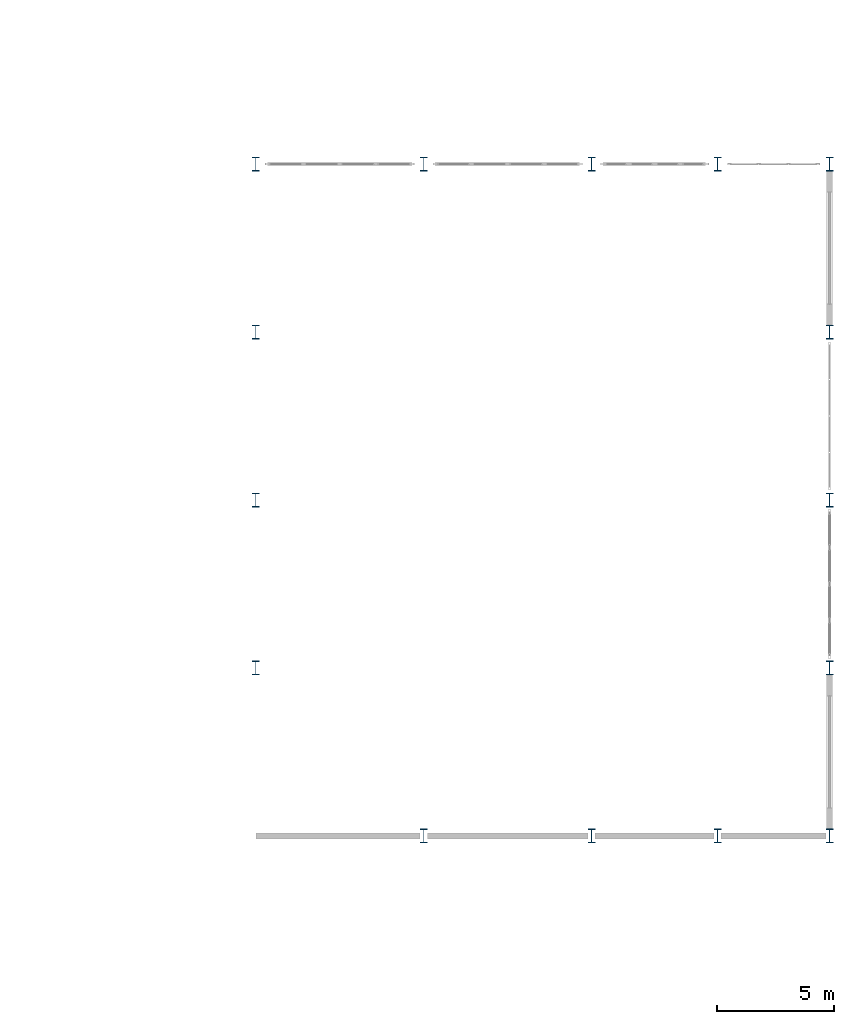
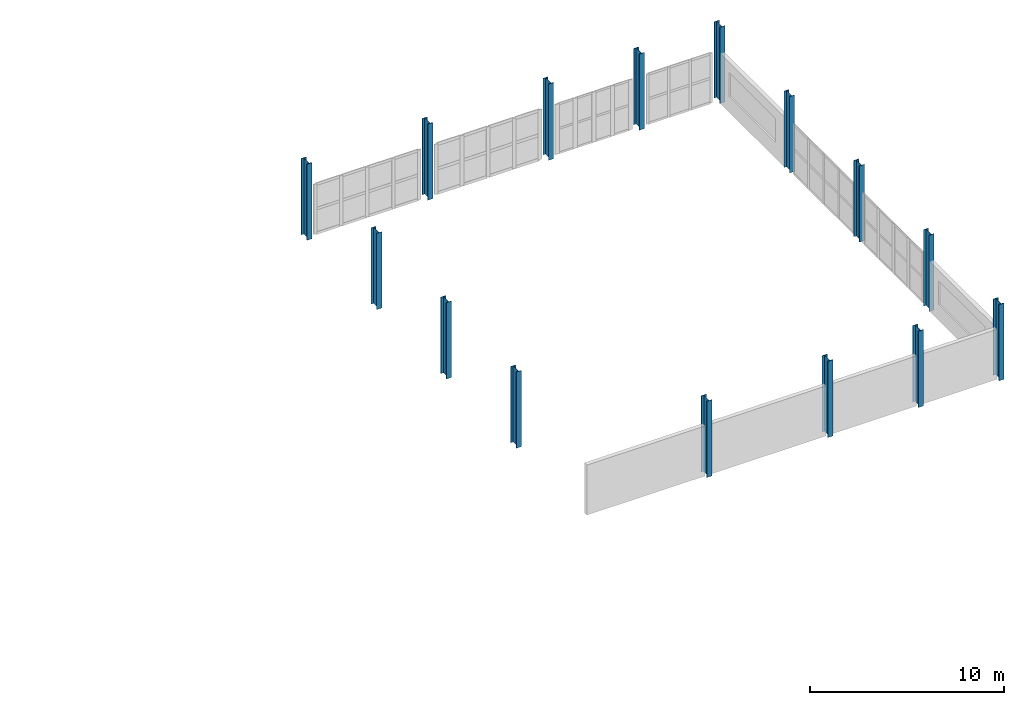
# One storey, part 10 of 41: 15 columns.
"""IFC4 building model written with IfcOpenShell, lengths in metres."""

from ifc_helpers import new_model, si_unit, direction, frame, origin, origin_2d, place, context, subcontext, project, spatial, i_section, extrude, material, material_profile, profile_set, type_object, element, save


model = new_model("IFC4")

# Units and contexts
model_context = context("Model", 3, precision=1e-05, world=origin(), true_north=direction((0.0, 1.0)))
body_context = subcontext(model_context, "Body", "Model", "MODEL_VIEW")
ifc_project = project(units=[si_unit("LENGTHUNIT", "METRE"), si_unit("AREAUNIT", "SQUARE_METRE"), si_unit("VOLUMEUNIT", "CUBIC_METRE"), si_unit("PLANEANGLEUNIT", "RADIAN"), si_unit("MASSUNIT", "GRAM", prefix="KILO")], contexts=[model_context])

# Site, building, storey
site_placement = place(None, origin())
site = spatial("IfcSite", under=ifc_project, at=site_placement, CompositionType="ELEMENT")
building_placement = place(site_placement, origin())
building = spatial("IfcBuilding", under=site, at=building_placement, Name="Solvadek Multi-Sports Hall", CompositionType="ELEMENT")
storey_placement = place(building_placement, frame((0.0, 0.0, 14.39990234375)))
storey = spatial("IfcBuildingStorey", under=building, at=storey_placement, Name="L03", CompositionType="ELEMENT", Elevation=14.39990234375)

# Columns
ifc_material = material(Name="Steel E350 (350 MPa)", Category="steel")
ifc_material_profile = material_profile(ifc_material, i_section(OverallWidth=0.300048828125, OverallDepth=0.60009765625, WebThickness=0.015380859375, FlangeThickness=0.030029296875, at=origin_2d()), Name="WPB 600")
ifc_profile_set = profile_set([ifc_material_profile], Name="Steel E350 (350 MPa)")
column_type = type_object("IfcColumnType", Name="STR-COL-WPB600", PredefinedType="COLUMN", material=ifc_profile_set)
for number, where, z_axis, x_axis, name in (
    (1, (136.800048828125, 49.199951171875, 0.0), (0.0, 0.0, 1.0), (1.0, 0.0, 0.0), "L03 Column C-03 #242"),
    (2, (136.800048828125, 56.39990234375, 0.0), (0.0, 0.0, 1.0), (1.0, 0.0, 0.0), "L03 Column C-03 #243"),
    (3, (136.800048828125, 63.60009765625, 0.0), (0.0, 0.0, 1.0), (1.0, 0.0, 0.0), "L03 Column C-03 #244"),
    (4, (136.800048828125, 70.800048828125, 0.0), (0.0, 0.0, 1.0), (1.0, 0.0, 0.0), "L03 Column C-03 #245"),
    (5, (144.0, 42.0, 0.0), (0.0, 0.0, 1.0), (1.0, 0.0, 0.0), "L03 Column C-03 #246"),
    (6, (144.0, 70.800048828125, 0.0), (0.0, 0.0, 1.0), (1.0, 0.0, 0.0), "L03 Column C-03 #250"),
    (7, (151.199951171875, 42.0, 0.0), (0.0, 0.0, 1.0), (1.0, 0.0, 0.0), "L03 Column C-03 #251"),
    (8, (151.199951171875, 70.800048828125, 0.0), (0.0, 0.0, 1.0), (1.0, 0.0, 0.0), "L03 Column C-03 #255"),
    (9, (156.60009765625, 42.0, 0.0), (0.0, 0.0, 1.0), (1.0, 0.0, 0.0), "L03 Column C-03 #256"),
    (10, (156.60009765625, 70.800048828125, 0.0), (0.0, 0.0, 1.0), (1.0, 0.0, 0.0), "L03 Column C-03 #260"),
    (11, (161.39990234375, 42.0, 0.0), (0.0, 0.0, 1.0), (1.0, 0.0, 0.0), "L03 Column C-03 #261"),
    (12, (161.39990234375, 49.199951171875, 0.0), (0.0, 0.0, 1.0), (1.0, 0.0, 0.0), "L03 Column C-03 #262"),
    (13, (161.39990234375, 56.39990234375, 0.0), (0.0, 0.0, 1.0), (1.0, 0.0, 0.0), "L03 Column C-03 #263"),
    (14, (161.39990234375, 63.60009765625, 0.0), (0.0, 0.0, 1.0), (1.0, 0.0, 0.0), "L03 Column C-03 #264"),
    (15, (161.39990234375, 70.800048828125, 0.0), (0.0, 0.0, 1.0), (1.0, 0.0, 0.0), "L03 Column C-03 #265"),
):
    element("IfcColumn", number, at=place(storey_placement, frame(where, z_axis=z_axis, x_axis=x_axis)), inside=storey, type_object=column_type, Name=name, PredefinedType="COLUMN", context=body_context, shape_type="SweptSolid", body=[
        extrude(i_section(OverallWidth=0.300048828125, OverallDepth=0.60009765625, WebThickness=0.015380859375, FlangeThickness=0.030029296875, at=origin_2d()), origin(), (0.0, 0.0, 1.0), 4.800048828125),
    ])

save(model, "model.ifc")
